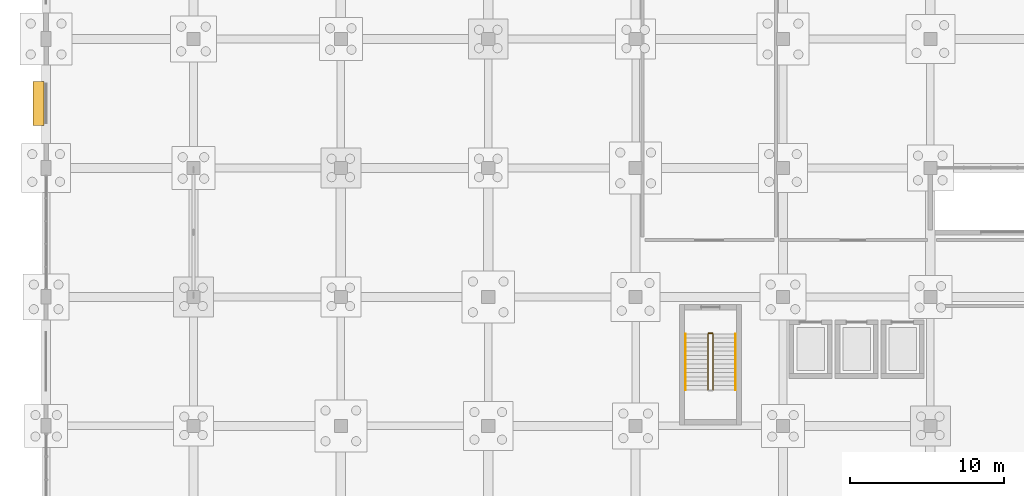
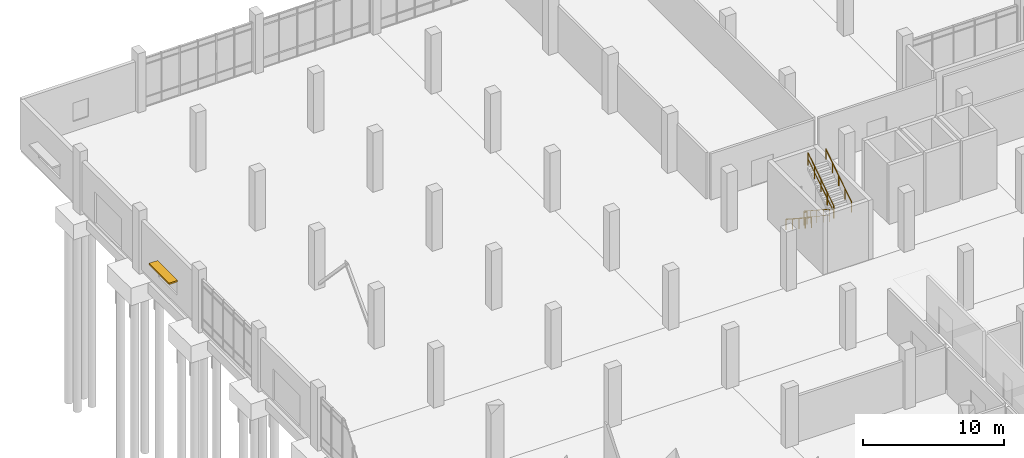
# One storey, part 127 of 136: 5 railings, 1 shading device.
"""IFC4 building model written with IfcOpenShell, lengths in metres."""

from ifc_helpers import new_model, si_unit, direction, frame, origin, origin_2d, place, context, subcontext, project, spatial, rectangle, circle, extrude, material, layer, layer_set, type_object, element, save


model = new_model("IFC4")

# Units and contexts
model_context = context("Model", 3, precision=1e-05, world=origin(), true_north=direction((0.0, 1.0)))
body_context = subcontext(model_context, "Body", "Model", "MODEL_VIEW")
ifc_project = project(units=[si_unit("LENGTHUNIT", "METRE"), si_unit("AREAUNIT", "SQUARE_METRE"), si_unit("VOLUMEUNIT", "CUBIC_METRE"), si_unit("PLANEANGLEUNIT", "RADIAN"), si_unit("MASSUNIT", "GRAM", prefix="KILO")], contexts=[model_context])

# Site, building, storey
site_placement = place(None, origin())
site = spatial("IfcSite", under=ifc_project, at=site_placement, CompositionType="ELEMENT")
building_placement = place(site_placement, origin())
building = spatial("IfcBuilding", under=site, at=building_placement, Name="Oolite Switchyard Hospital", CompositionType="ELEMENT")
storey_placement = place(building_placement, origin())
storey = spatial("IfcBuildingStorey", under=building, at=storey_placement, Name="L00", CompositionType="ELEMENT", Elevation=0.0)

# Railings
ifc_material_1 = material(Name="Galvanized painted architectural steel handrail", Category="steel")
railing_type_1 = type_object("IfcRailingType", Name="RL-STAIR-GRD", PredefinedType="GUARDRAIL", material=ifc_material_1)
railing_1_placement = place(storey_placement, frame((43.110107421875, 98.389892578125, 0.18212890625)))
element("IfcRailing", 1, at=railing_1_placement, inside=storey, type_object=railing_type_1, Name="L00 ST-07 stair guard 1", PredefinedType="GUARDRAIL", context=body_context, shape_type="SweptSolid", body=[
    extrude(circle(Radius=0.02392578125, at=origin_2d()), frame((0.0, 0.0, 1.076171875), z_axis=(0.0, -0.838234174257, 0.545310433706), x_axis=(1.0, 0.0, 0.0)), (0.0, 0.0, 1.0), 4.34228515625),
    extrude(circle(Radius=0.015625, at=origin_2d()), frame((0.0, 0.0, 0.550048828125), z_axis=(0.0, -0.838234174257, 0.545310433706), x_axis=(1.0, 0.0, 0.0)), (0.0, 0.0, 1.0), 4.34228515625),
    extrude(circle(Radius=0.02099609375, at=origin_2d()), origin(), (0.0, 0.0, 1.0), 1.052001953125),
    extrude(circle(Radius=0.02099609375, at=origin_2d()), frame((0.0, -0.909912109375, 0.592041015625)), (0.0, 0.0, 1.0), 1.052001953125),
    extrude(circle(Radius=0.02099609375, at=origin_2d()), frame((0.0, -1.81982421875, 1.18408203125)), (0.0, 0.0, 1.0), 1.052001953125),
    extrude(circle(Radius=0.02099609375, at=origin_2d()), frame((0.0, -2.72998046875, 1.77587890625)), (0.0, 0.0, 1.0), 1.052001953125),
    extrude(circle(Radius=0.02099609375, at=origin_2d()), frame((0.0, -3.639892578125, 2.367919921875)), (0.0, 0.0, 1.0), 1.052001953125),
])
railing_2_placement = place(storey_placement, frame((43.449951171875, 94.75, 2.732177734375)))
element("IfcRailing", 2, at=railing_2_placement, inside=storey, type_object=railing_type_1, Name="L00 ST-07 stair guard 3", PredefinedType="GUARDRAIL", context=body_context, shape_type="SweptSolid", body=[
    extrude(circle(Radius=0.02392578125, at=origin_2d()), frame((0.0, 0.0, 1.076171875), z_axis=(0.0, 0.838234174257, 0.545310433706), x_axis=(-1.0, 0.0, 0.0)), (0.0, 0.0, 1.0), 4.34228515625),
    extrude(circle(Radius=0.015625, at=origin_2d()), frame((0.0, 0.0, 0.550048828125), z_axis=(0.0, 0.838234174257, 0.545310433706), x_axis=(-1.0, 0.0, 0.0)), (0.0, 0.0, 1.0), 4.34228515625),
    extrude(circle(Radius=0.02099609375, at=origin_2d()), origin(), (0.0, 0.0, 1.0), 1.052001953125),
    extrude(circle(Radius=0.02099609375, at=origin_2d()), frame((0.0, 0.909912109375, 0.592041015625)), (0.0, 0.0, 1.0), 1.052001953125),
    extrude(circle(Radius=0.02099609375, at=origin_2d()), frame((0.0, 1.81982421875, 1.18408203125)), (0.0, 0.0, 1.0), 1.052001953125),
    extrude(circle(Radius=0.02099609375, at=origin_2d()), frame((0.0, 2.72998046875, 1.77587890625)), (0.0, 0.0, 1.0), 1.052001953125),
    extrude(circle(Radius=0.02099609375, at=origin_2d()), frame((0.0, 3.639892578125, 2.367919921875)), (0.0, 0.0, 1.0), 1.052001953125),
])
railing_3_placement = place(storey_placement, frame((43.159912109375, 98.43994140625, 0.0)))
element("IfcRailing", 3, at=railing_3_placement, inside=storey, type_object=railing_type_1, Name="L00 ST-07 stair guard 4", PredefinedType="GUARDRAIL", context=body_context, shape_type="SweptSolid", body=[
    extrude(circle(Radius=0.02392578125, at=origin_2d()), frame((0.0, 0.0, 1.076171875), z_axis=(1.0, 0.0, 0.0), x_axis=(0.0, 1.0, 0.0)), (0.0, 0.0, 1.0), 0.239990234375),
    extrude(circle(Radius=0.015625, at=origin_2d()), frame((0.0, 0.0, 0.550048828125), z_axis=(1.0, 0.0, 0.0), x_axis=(0.0, 1.0, 0.0)), (0.0, 0.0, 1.0), 0.239990234375),
    extrude(circle(Radius=0.02099609375, at=origin_2d()), origin(), (0.0, 0.0, 1.0), 1.052001953125),
    extrude(circle(Radius=0.02099609375, at=origin_2d()), frame((0.239990234375, 0.0, 0.0)), (0.0, 0.0, 1.0), 1.052001953125),
])
railing_type_2 = type_object("IfcRailingType", Name="RL-STAIR-HND", PredefinedType="HANDRAIL", material=ifc_material_1)
railing_4_placement = place(storey_placement, frame((41.64990234375, 98.389892578125, 0.18212890625)))
element("IfcRailing", 4, at=railing_4_placement, inside=storey, type_object=railing_type_2, Name="L00 ST-07 stair handrail 1", PredefinedType="HANDRAIL", context=body_context, shape_type="SweptSolid", body=[
    extrude(circle(Radius=0.02392578125, at=origin_2d()), frame((0.0, 0.0, 0.8759765625), z_axis=(0.0, -0.838234174257, 0.545310433706), x_axis=(1.0, 0.0, 0.0)), (0.0, 0.0, 1.0), 4.34228515625),
    extrude(circle(Radius=0.02099609375, at=origin_2d()), origin(), (0.0, 0.0, 1.0), 0.851806640625),
    extrude(circle(Radius=0.02099609375, at=origin_2d()), frame((0.0, -0.909912109375, 0.592041015625)), (0.0, 0.0, 1.0), 0.851806640625),
    extrude(circle(Radius=0.02099609375, at=origin_2d()), frame((0.0, -1.81982421875, 1.18408203125)), (0.0, 0.0, 1.0), 0.851806640625),
    extrude(circle(Radius=0.02099609375, at=origin_2d()), frame((0.0, -2.72998046875, 1.77587890625)), (0.0, 0.0, 1.0), 0.851806640625),
    extrude(circle(Radius=0.02099609375, at=origin_2d()), frame((0.0, -3.639892578125, 2.367919921875)), (0.0, 0.0, 1.0), 0.851806640625),
])
railing_5_placement = place(storey_placement, frame((44.909912109375, 94.75, 2.732177734375)))
element("IfcRailing", 5, at=railing_5_placement, inside=storey, type_object=railing_type_2, Name="L00 ST-07 stair handrail 2", PredefinedType="HANDRAIL", context=body_context, shape_type="SweptSolid", body=[
    extrude(circle(Radius=0.02392578125, at=origin_2d()), frame((0.0, 0.0, 0.8759765625), z_axis=(0.0, 0.838234174257, 0.545310433706), x_axis=(-1.0, 0.0, 0.0)), (0.0, 0.0, 1.0), 4.34228515625),
    extrude(circle(Radius=0.02099609375, at=origin_2d()), origin(), (0.0, 0.0, 1.0), 0.851806640625),
    extrude(circle(Radius=0.02099609375, at=origin_2d()), frame((0.0, 0.909912109375, 0.592041015625)), (0.0, 0.0, 1.0), 0.851806640625),
    extrude(circle(Radius=0.02099609375, at=origin_2d()), frame((0.0, 1.81982421875, 1.18408203125)), (0.0, 0.0, 1.0), 0.851806640625),
    extrude(circle(Radius=0.02099609375, at=origin_2d()), frame((0.0, 2.72998046875, 1.77587890625)), (0.0, 0.0, 1.0), 0.851806640625),
    extrude(circle(Radius=0.02099609375, at=origin_2d()), frame((0.0, 3.639892578125, 2.367919921875)), (0.0, 0.0, 1.0), 0.851806640625),
])

# Shading device
ifc_material_2 = material(Name="Precast oolitic limestone architectural concrete C40/50", Category="masonry")
ifc_layer = layer(ifc_material_2, 0.1201171875)
ifc_layer_set = layer_set([ifc_layer], Name="SHD-BRISE-900")
shading_device_type = type_object("IfcShadingDeviceType", Name="SHD-BRISE-900", PredefinedType="AWNING", material=ifc_layer_set)
shading_device_placement = place(storey_placement, frame((-0.5, 113.39990234375, 2.06005859375), z_axis=(0.0, 0.0, 1.0), x_axis=(0.0, 1.0, 0.0)))
element("IfcShadingDevice", 6, at=shading_device_placement, inside=storey, type_object=shading_device_type, Name="L00 Classical Brise-Soleil Sunshade 9", PredefinedType="AWNING", context=body_context, shape_type="SweptSolid", body=[
    extrude(rectangle(XDim=2.840087890625, YDim=0.699951171875, at=origin_2d()), origin(), (0.0, 0.0, 1.0), 0.1201171875),
])

save(model, "model.ifc")
